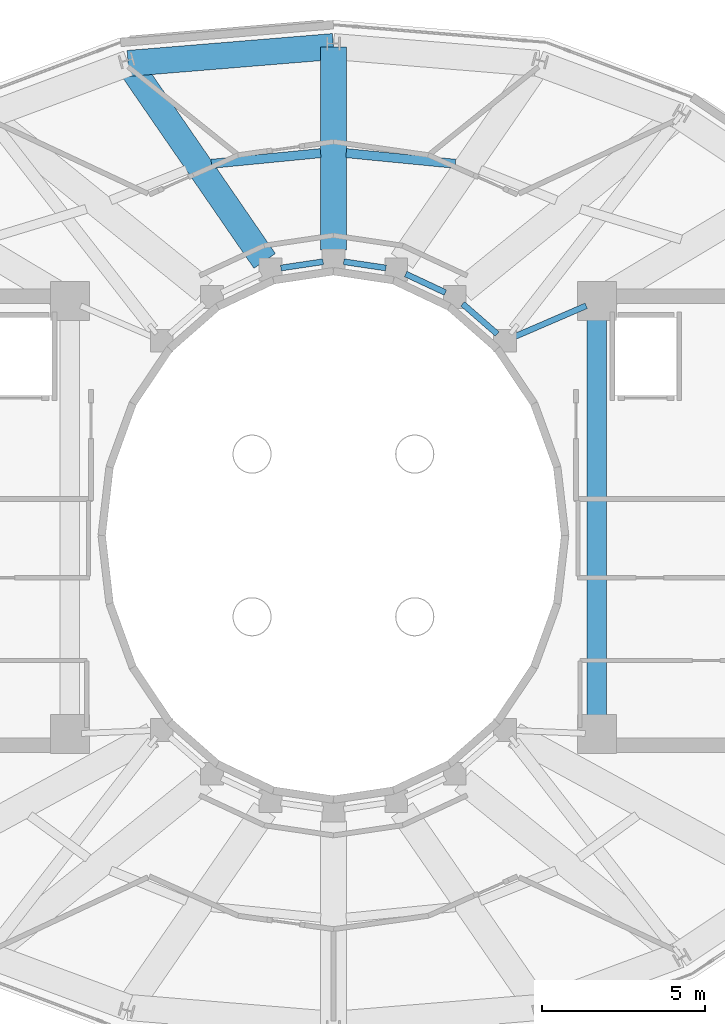
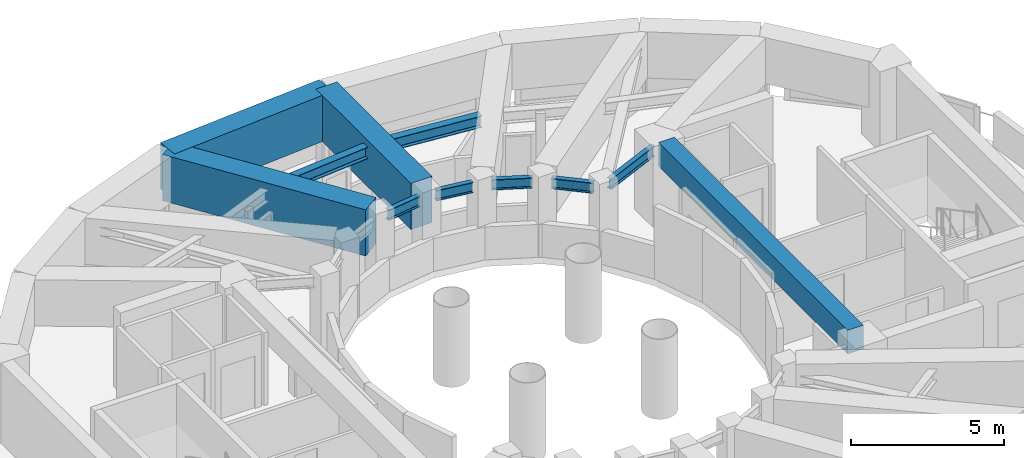
# One storey, part 8 of 17: 11 beams.
"""IFC4 building model written with IfcOpenShell, lengths in metres."""

from ifc_helpers import new_model, si_unit, direction, frame, origin, origin_2d, place, context, subcontext, project, spatial, rectangle, i_section, extrude, material, material_profile, profile_set, type_object, element, save


model = new_model("IFC4")

# Units and contexts
model_context = context("Model", 3, precision=1e-05, world=origin(), true_north=direction((0.0, 1.0)))
body_context = subcontext(model_context, "Body", "Model", "MODEL_VIEW")
ifc_project = project(units=[si_unit("LENGTHUNIT", "METRE"), si_unit("AREAUNIT", "SQUARE_METRE"), si_unit("VOLUMEUNIT", "CUBIC_METRE"), si_unit("PLANEANGLEUNIT", "RADIAN"), si_unit("MASSUNIT", "GRAM", prefix="KILO")], contexts=[model_context])

# Site, building, storey
site_placement = place(None, origin())
site = spatial("IfcSite", under=ifc_project, at=site_placement, CompositionType="ELEMENT")
building_placement = place(site_placement, origin())
building = spatial("IfcBuilding", under=site, at=building_placement, Name="Solvane Sanctuary Tower", CompositionType="ELEMENT")
storey_placement = place(building_placement, frame((0.0, 0.0, 273.199951171875)))
storey = spatial("IfcBuildingStorey", under=building, at=storey_placement, Name="L83", CompositionType="ELEMENT", Elevation=273.199951171875)

# Beams
ifc_material_1 = material(Name="Concrete C70/85", Category="concrete")
ifc_material_profile_1 = material_profile(ifc_material_1, rectangle(XDim=0.60009765625, YDim=0.949951171875, at=origin_2d()), Name="RC600X950")
ifc_profile_set_1 = profile_set([ifc_material_profile_1], Name="Concrete C70/85")
beam_type_1 = type_object("IfcBeamType", Name="Beam B-COUPLE RC600X950", PredefinedType="LINTEL", material=ifc_profile_set_1)
beam_1_placement = place(storey_placement, frame((40.10009765625, 17.35009765625, 2.72509765625), z_axis=(0.0, 1.0, 0.0), x_axis=(-1.0, 0.0, 0.0)))
element("IfcBeam", 1, at=beam_1_placement, inside=storey, type_object=beam_type_1, Name="L83 East Core Coupling Lintel", PredefinedType="LINTEL", context=body_context, shape_type="SweptSolid", body=[
    extrude(rectangle(XDim=0.60009765625, YDim=0.949951171875, at=origin_2d()), origin(), (0.0, 0.0, 1.0), 12.39990234375),
])
ifc_material_2 = material(Name="Steel ASTM A992 Grade 50", Category="steel")
ifc_material_profile_2 = material_profile(ifc_material_2, i_section(OverallWidth=0.180908203125, OverallDepth=0.4169921875, WebThickness=0.010986328125, FlangeThickness=0.018310546875, FilletRadius=0.012939453125, at=origin_2d()), Name="W16X57")
ifc_profile_set_2 = profile_set([ifc_material_profile_2], Name="Steel ASTM A992 Grade 50")
beam_type_2 = type_object("IfcBeamType", Name="Beam B-ROOF-BM W16X57", PredefinedType="BEAM", material=ifc_profile_set_2)
for number, where, z_axis, x_axis, name in (
    (2, (30.3857421875, 31.218994140625, 2.7294921875), (0.989056121481, 0.147539786368, 0.0), (-0.147539786368, 0.989056121481, 0.0), "L83 Inner Light-Well Ring Beam IC05-IC04"),
    (3, (32.31640625, 31.41259765625, 2.7294921875), (0.989056121481, -0.147539786368, 0.0), (0.147539786368, 0.989056121481, 0.0), "L83 Inner Light-Well Ring Beam IC04-IC03"),
):
    element("IfcBeam", number, at=place(storey_placement, frame(where, z_axis=z_axis, x_axis=x_axis)), inside=storey, type_object=beam_type_2, Name=name, PredefinedType="BEAM", context=body_context, shape_type="SweptSolid", body=[
        extrude(i_section(OverallWidth=0.180908203125, OverallDepth=0.4169921875, WebThickness=0.010986328125, FlangeThickness=0.018310546875, FilletRadius=0.012939453125, at=origin_2d()), origin(), (0.0, 0.0, 1.0), 1.312255859375),
    ])
beam_2_placement = place(storey_placement, frame((34.220458984375, 31.03564453125, 2.7294921875), z_axis=(0.905134542189, -0.425125229241, 0.0), x_axis=(0.425125229241, 0.905134542189, 0.0)))
element("IfcBeam", 4, at=beam_2_placement, inside=storey, type_object=beam_type_2, Name="L83 Inner Light-Well Ring Beam IC03-IC02", PredefinedType="BEAM", context=body_context, shape_type="SweptSolid", body=[
    extrude(i_section(OverallWidth=0.180908203125, OverallDepth=0.4169921875, WebThickness=0.010986328125, FlangeThickness=0.018310546875, FilletRadius=0.012939453125, at=origin_2d()), origin(), (0.0, 0.0, 1.0), 1.347900390625),
])
beam_3_placement = place(storey_placement, frame((35.971435546875, 30.116455078125, 2.7294921875), z_axis=(0.754388985763, -0.656427648839, 0.0), x_axis=(0.656427648839, 0.754388985763, 0.0)))
element("IfcBeam", 5, at=beam_3_placement, inside=storey, type_object=beam_type_2, Name="L83 Inner Light-Well Ring Beam IC02-IC01", PredefinedType="BEAM", context=body_context, shape_type="SweptSolid", body=[
    extrude(i_section(OverallWidth=0.180908203125, OverallDepth=0.4169921875, WebThickness=0.010986328125, FlangeThickness=0.018310546875, FilletRadius=0.012939453125, at=origin_2d()), origin(), (0.0, 0.0, 1.0), 1.408203125),
])
beam_4_placement = place(storey_placement, frame((37.56884765625, 29.10888671875, 2.7294921875), z_axis=(0.918283854026, 0.395922673554, 0.0), x_axis=(-0.395922673554, 0.918283854026, 0.0)))
element("IfcBeam", 6, at=beam_4_placement, inside=storey, type_object=beam_type_2, Name="L83 Inner Light-Well Ring Beam IC01-CE4", PredefinedType="BEAM", context=body_context, shape_type="SweptSolid", body=[
    extrude(i_section(OverallWidth=0.180908203125, OverallDepth=0.4169921875, WebThickness=0.010986328125, FlangeThickness=0.018310546875, FilletRadius=0.012939453125, at=origin_2d()), origin(), (0.0, 0.0, 1.0), 2.396240234375),
])
ifc_material_profile_3 = material_profile(ifc_material_2, i_section(OverallWidth=0.280029296875, OverallDepth=0.462890625, WebThickness=0.0107421875, FlangeThickness=0.017333984375, FilletRadius=0.013916015625, at=origin_2d()), Name="W18X76")
ifc_profile_set_3 = profile_set([ifc_material_profile_3], Name="Steel ASTM A992 Grade 50")
beam_type_3 = type_object("IfcBeamType", Name="Beam B-SEC-JOIST W18X76", PredefinedType="JOIST", material=ifc_profile_set_3)
for number, where, z_axis, x_axis, name in (
    (7, (28.2509765625, 34.42138671875, 2.70654296875), (0.995254132398, 0.097309875887, 0.0), (-0.097309875887, 0.995254132398, 0.0), "L83 Secondary Circumferential Joist 05-04"),
    (8, (32.39306640625, 34.74951171875, 2.70654296875), (0.995254132398, -0.097309875887, 0.0), (0.097309875887, 0.995254132398, 0.0), "L83 Secondary Circumferential Joist 04-03"),
):
    element("IfcBeam", number, at=place(storey_placement, frame(where, z_axis=z_axis, x_axis=x_axis)), inside=storey, type_object=beam_type_3, Name=name, PredefinedType="JOIST", context=body_context, shape_type="SweptSolid", body=[
        extrude(i_section(OverallWidth=0.280029296875, OverallDepth=0.462890625, WebThickness=0.0107421875, FlangeThickness=0.017333984375, FilletRadius=0.013916015625, at=origin_2d()), origin(), (0.0, 0.0, 1.0), 3.3720703125),
    ])
ifc_material_profile_4 = material_profile(ifc_material_1, rectangle(XDim=0.800048828125, YDim=1.85009765625, at=origin_2d()), Name="RC800X1850")
ifc_profile_set_4 = profile_set([ifc_material_profile_4], Name="Concrete C70/85")
beam_type_4 = type_object("IfcBeamType", Name="Beam B-XFER-BLK RC800X1850", PredefinedType="BEAM", material=ifc_profile_set_4)
beam_5_placement = place(storey_placement, frame((32.0, 31.780029296875, 2.275146484375), z_axis=(0.0, 1.0, 0.0), x_axis=(-1.0, 0.0, 0.0)))
element("IfcBeam", 9, at=beam_5_placement, inside=storey, type_object=beam_type_4, Name="L83 Block-Shift Radial Transfer Girder 04A", PredefinedType="BEAM", context=body_context, shape_type="SweptSolid", body=[
    extrude(rectangle(XDim=0.800048828125, YDim=1.85009765625, at=origin_2d()), origin(), (0.0, 0.0, 1.0), 6.236083984375),
])
beam_6_placement = place(storey_placement, frame((29.8876953125, 31.435302734375, 2.275146484375), z_axis=(-0.567191526653, 0.823585922715, 0.0), x_axis=(-0.823585922715, -0.567191526653, 0.0)))
element("IfcBeam", 10, at=beam_6_placement, inside=storey, type_object=beam_type_4, Name="L83 Block-Shift Radial Transfer Girder 05A", PredefinedType="BEAM", context=body_context, shape_type="SweptSolid", body=[
    extrude(rectangle(XDim=0.800048828125, YDim=1.85009765625, at=origin_2d()), origin(), (0.0, 0.0, 1.0), 7.377685546875),
])
beam_7_placement = place(storey_placement, frame((25.691650390625, 37.505859375, 2.275146484375), z_axis=(0.996632195507, 0.082001627294, 0.0), x_axis=(-0.082001627294, 0.996632195507, 0.0)))
element("IfcBeam", 11, at=beam_7_placement, inside=storey, type_object=beam_type_4, Name="L83 Perimeter Step Transfer Ring NTC05-NTC04", PredefinedType="BEAM", context=body_context, shape_type="SweptSolid", body=[
    extrude(rectangle(XDim=0.800048828125, YDim=1.85009765625, at=origin_2d()), origin(), (0.0, 0.0, 1.0), 6.32958984375),
])

save(model, "model.ifc")
